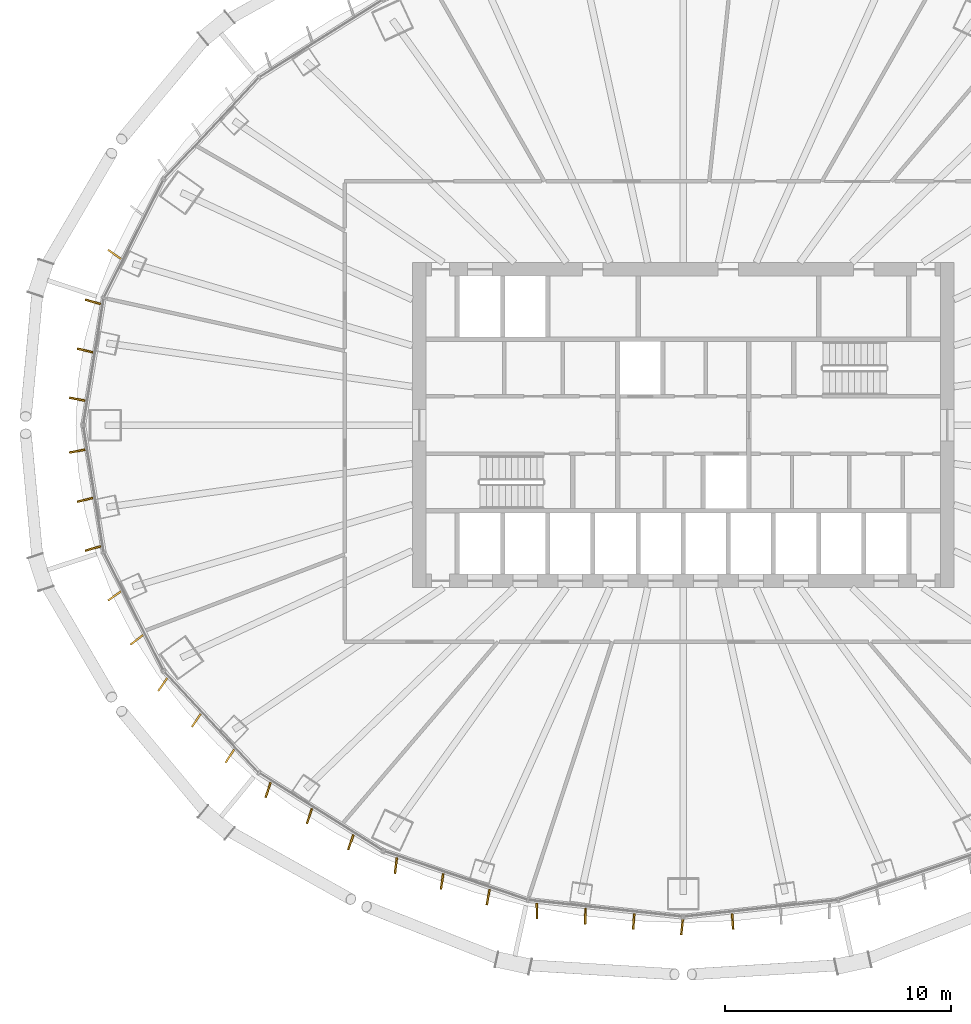
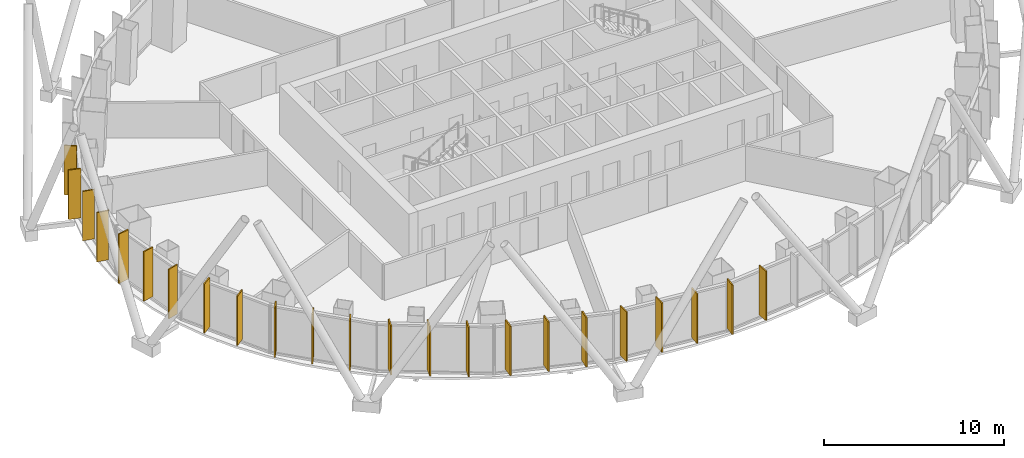
# One storey, part 15 of 18: 23 shading devices.
"""IFC4 building model written with IfcOpenShell, lengths in metres."""

from ifc_helpers import new_model, si_unit, direction, frame, origin, origin_2d, place, context, subcontext, project, spatial, rectangle, extrude, material, layer, layer_set, type_object, element, save


model = new_model("IFC4")

# Units and contexts
model_context = context("Model", 3, precision=1e-05, world=origin(), true_north=direction((0.0, 1.0)))
body_context = subcontext(model_context, "Body", "Model", "MODEL_VIEW")
ifc_project = project(units=[si_unit("LENGTHUNIT", "METRE"), si_unit("AREAUNIT", "SQUARE_METRE"), si_unit("VOLUMEUNIT", "CUBIC_METRE"), si_unit("PLANEANGLEUNIT", "RADIAN"), si_unit("MASSUNIT", "GRAM", prefix="KILO")], contexts=[model_context])

# Site, building, storey
site_placement = place(None, origin())
site = spatial("IfcSite", under=ifc_project, at=site_placement, CompositionType="ELEMENT")
building_placement = place(site_placement, origin())
building = spatial("IfcBuilding", under=site, at=building_placement, Name="Siaravel Broadcast Tower", CompositionType="ELEMENT")
storey_placement = place(building_placement, frame((0.0, 0.0, 81.5)))
storey = spatial("IfcBuildingStorey", under=building, at=storey_placement, Name="L19", CompositionType="ELEMENT", Elevation=81.5)

# Shading devices
ifc_material = material(Name="Bronze anodised aluminium", Category="aluminium")
ifc_layer = layer(ifc_material, 0.080078125)
ifc_layer_set = layer_set([ifc_layer], Name="Bronze anodised aluminium")
shading_device_type = type_object("IfcShadingDeviceType", Name="Bronze fin zone 1", PredefinedType="USERDEFINED", material=ifc_layer_set)
for number, where, z_axis, x_axis, name in (
    (1, (-25.195556640625, 7.5673828125, 0.300048828125), (0.0, 0.0, 1.0), (-0.811608651, 0.584201505, 0.0), "Bronze fin L19-32"),
    (2, (-26.152099609375, 5.466064453125, 0.300048828125), (0.0, 0.0, 1.0), (-0.96214097, 0.272552297, 0.0), "Bronze fin L19-33"),
    (3, (-26.50048828125, 3.308837890625, 0.300048828125), (0.0, 0.0, 1.0), (-0.973373658, 0.229224175, 0.0), "Bronze fin L19-34"),
    (4, (-26.84814453125, 1.150390625, 0.300048828125), (0.0, 0.0, 1.0), (-0.983211624, 0.18246891, 0.0), "Bronze fin L19-35"),
    (5, (-26.84814453125, -1.150390625, 0.300048828125), (0.0, 0.0, 1.0), (-0.983211624, -0.18246891, 0.0), "Bronze fin L19-36"),
    (6, (-26.50048828125, -3.308837890625, 0.300048828125), (0.0, 0.0, 1.0), (-0.973373658, -0.229224175, 0.0), "Bronze fin L19-37"),
    (7, (-26.152099609375, -5.466064453125, 0.300048828125), (0.0, 0.0, 1.0), (-0.96214097, -0.272552297, 0.0), "Bronze fin L19-38"),
    (8, (-25.195556640625, -7.5673828125, 0.300048828125), (0.0, 0.0, 1.0), (-0.811608651, -0.584201505, 0.0), "Bronze fin L19-39"),
    (9, (-24.209716796875, -9.5126953125, 0.300048828125), (0.0, 0.0, 1.0), (-0.791658797, -0.610963459, 0.0), "Bronze fin L19-40"),
    (10, (-23.058837890625, -11.491943359375, 0.300048828125), (0.0, 0.0, 1.0), (-0.567128082, -0.823629613, 0.0), "Bronze fin L19-41"),
    (11, (-21.5703125, -13.078857421875, 0.300048828125), (0.0, 0.0, 1.0), (-0.552551017, -0.833479078, 0.0), "Bronze fin L19-42"),
    (12, (-20.08447265625, -14.6640625, 0.300048828125), (0.0, 0.0, 1.0), (-0.544374068, -0.83884258, 0.0), "Bronze fin L19-43"),
    (13, (-18.392578125, -16.171630859375, 0.300048828125), (0.0, 0.0, 1.0), (-0.311852396, -0.950130561, 0.0), "Bronze fin L19-44"),
    (14, (-16.557861328125, -17.325439453125, 0.300048828125), (0.0, 0.0, 1.0), (-0.317549606, -0.948241661, 0.0), "Bronze fin L19-45"),
    (15, (-14.725341796875, -18.478515625, 0.300048828125), (0.0, 0.0, 1.0), (-0.330145385, -0.943930095, 0.0), "Bronze fin L19-46"),
    (16, (-12.72802734375, -19.51904296875, 0.300048828125), (0.0, 0.0, 1.0), (-0.121810444, -0.992553382, 0.0), "Bronze fin L19-47"),
    (17, (-10.68212890625, -20.215087890625, 0.300048828125), (0.0, 0.0, 1.0), (-0.146694219, -0.989181887, 0.0), "Bronze fin L19-48"),
    (18, (-8.63818359375, -20.910400390625, 0.300048828125), (0.0, 0.0, 1.0), (-0.176584854, -0.984285421, 0.0), "Bronze fin L19-49"),
    (19, (-6.478759765625, -21.5302734375, 0.300048828125), (0.0, 0.0, 1.0), (0.008136635, -0.999966897, 0.0), "Bronze fin L19-50"),
    (20, (-4.334716796875, -21.7626953125, 0.300048828125), (0.0, 0.0, 1.0), (-0.028570642, -0.999591776, 0.0), "Bronze fin L19-51"),
    (21, (-2.191162109375, -21.99462890625, 0.300048828125), (0.0, 0.0, 1.0), (-0.067569514, -0.997714569, 0.0), "Bronze fin L19-52"),
    (22, (-0.048095703125, -22.22607421875, 0.300048828125), (0.0, 0.0, 1.0), (-0.107218518, -0.99423548, 0.0), "Bronze fin L19-53"),
    (23, (2.191162109375, -21.99462890625, 0.300048828125), (0.0, 0.0, 1.0), (0.067569514, -0.997714569, 0.0), "Bronze fin L19-54"),
):
    element("IfcShadingDevice", number, at=place(storey_placement, frame(where, z_axis=z_axis, x_axis=x_axis)), inside=storey, type_object=shading_device_type, Name=name, ObjectType="FIN", PredefinedType="USERDEFINED", context=body_context, shape_type="SweptSolid", body=[
        extrude(rectangle(XDim=0.699951171875, YDim=0.080078125, at=origin_2d()), origin(), (0.0, 0.0, 1.0), 3.35009765625),
    ])

save(model, "model.ifc")
